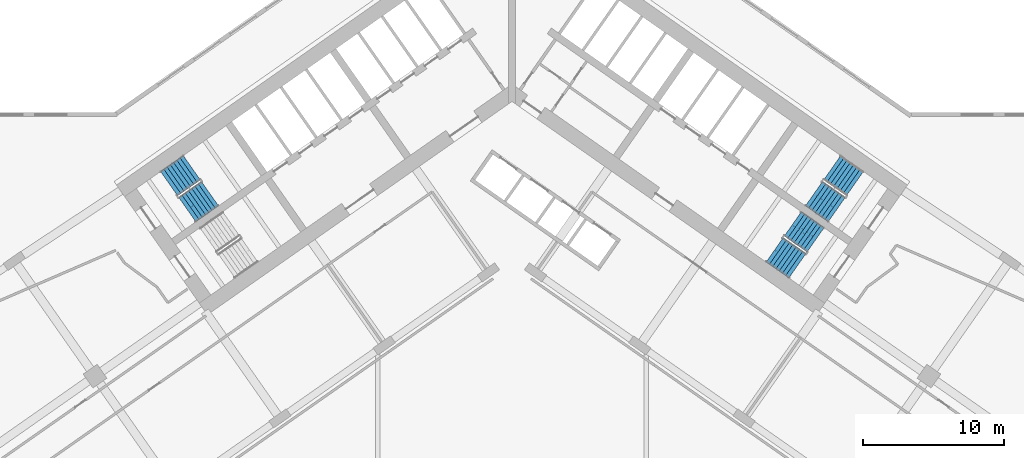
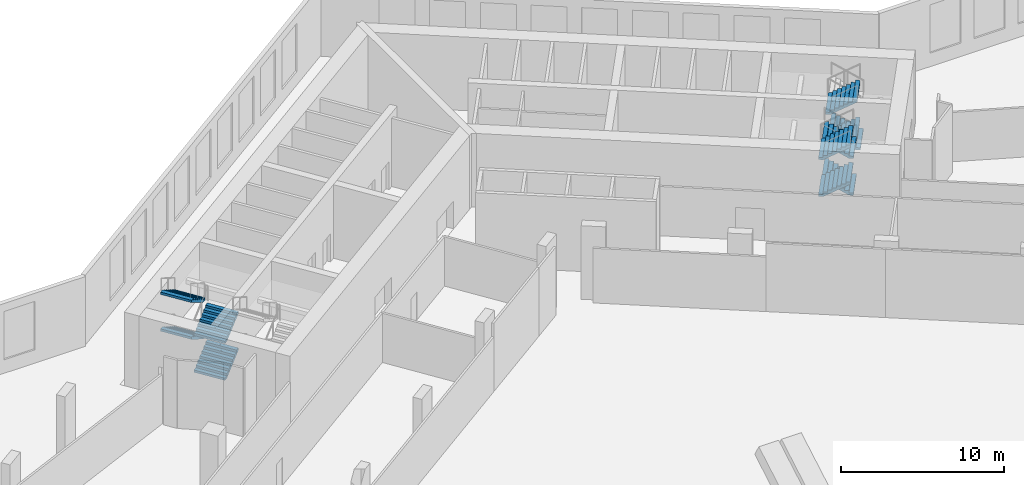
# One storey, part 16 of 26: 11 stair flights, 3 elements without a shape of their own.
"""IFC4 building model written with IfcOpenShell, lengths in metres."""

from ifc_helpers import new_model, si_unit, direction, frame, origin, place, context, subcontext, project, spatial, polyline, outline, extrude, material, type_object, element, aggregate, save


model = new_model("IFC4")

# Units and contexts
model_context = context("Model", 3, precision=1e-05, world=origin(), true_north=direction((0.0, 1.0)))
body_context = subcontext(model_context, "Body", "Model", "MODEL_VIEW")
ifc_project = project(units=[si_unit("LENGTHUNIT", "METRE"), si_unit("AREAUNIT", "SQUARE_METRE"), si_unit("VOLUMEUNIT", "CUBIC_METRE"), si_unit("PLANEANGLEUNIT", "RADIAN"), si_unit("MASSUNIT", "GRAM", prefix="KILO")], contexts=[model_context])

# Site, building, storey
site_placement = place(None, origin())
site = spatial("IfcSite", under=ifc_project, at=site_placement, CompositionType="ELEMENT")
building_placement = place(site_placement, origin())
building = spatial("IfcBuilding", under=site, at=building_placement, Name="Tel Ilan Convention Tower", CompositionType="ELEMENT")
storey_placement = place(building_placement, frame((0.0, 0.0, 32.0)))
storey = spatial("IfcBuildingStorey", under=building, at=storey_placement, Name="L04", CompositionType="ELEMENT", Elevation=32.0)

# Stair, stair flights
ifc_material_1 = material(Name="Concrete C40/50", Category="concrete")
stair_type = type_object("IfcStairType", Name="Pressurised Exit Stair 32 risers 172 mm", PredefinedType="HALF_TURN_STAIR", material=ifc_material_1)
stair_1_placement = place(storey_placement, origin())
stair_1 = element("IfcStair", 1, at=stair_1_placement, inside=storey, type_object=stair_type, Name="L04 Pressurised Stair S1", PredefinedType="HALF_TURN_STAIR")
ifc_material_2 = material(Name="Precast Concrete C40/50", Category="concrete")
stair_flight_type = type_object("IfcStairFlightType", Name="Concrete Stair Flight 2100 mm 32 risers 172 mm", PredefinedType="STRAIGHT", material=ifc_material_2)
stair_flight_1_placement = place(storey_placement, frame((-22.9619140625, -8.87548828125, 0.0), z_axis=(0.0, 0.0, 1.0), x_axis=(0.819152044289, 0.573576436351, 0.0)))
stair_flight_1 = element("IfcStairFlight", 2, at=stair_flight_1_placement, type_object=stair_flight_type, Name="S1 flight 1", NumberOfRisers=8, NumberOfTreads=7, PredefinedType="STRAIGHT", RiserHeight=0.171875, TreadLength=0.28, context=body_context, shape_type="SweptSolid", body=[
    extrude(outline(polyline([(0.0, 0.0), (0.0, 0.171875), (0.280029296875, 0.171875), (0.280029296875, 0.34375), (0.56005859375, 0.34375), (0.56005859375, 0.515625), (0.840087890625, 0.515625), (0.840087890625, 0.6875), (1.1201171875, 0.6875), (1.1201171875, 0.859375), (1.39990234375, 0.859375), (1.39990234375, 1.03125), (1.679931640625, 1.03125), (1.679931640625, 1.203125), (1.9599609375, 1.203125), (1.9599609375, 1.375), (1.9599609375, 1.02734375), (0.28662109375, 0.0), (0.0, 0.0)])), frame((0.0, -0.100341796875, 0.0), z_axis=(0.0, -1.0, 0.0), x_axis=(1.0, 0.0, 0.0)), (0.0, 0.0, 1.0), 0.94970703125),
    extrude(outline(polyline([(0.0, 0.0), (0.0, 0.171875), (0.280029296875, 0.171875), (0.280029296875, 0.34375), (0.56005859375, 0.34375), (0.56005859375, 0.515625), (0.840087890625, 0.515625), (0.840087890625, 0.6875), (1.1201171875, 0.6875), (1.1201171875, 0.859375), (1.39990234375, 0.859375), (1.39990234375, 1.03125), (1.679931640625, 1.03125), (1.679931640625, 1.203125), (1.9599609375, 1.203125), (1.9599609375, 1.375), (1.9599609375, 1.02734375), (0.28662109375, 0.0), (0.0, 0.0)])), frame((0.0, -0.000244140625, 0.0), z_axis=(0.0, -1.0, 0.0), x_axis=(1.0, 0.0, 0.0)), (0.0, 0.0, 1.0), 0.099609375),
    extrude(outline(polyline([(0.0, 0.0), (0.0, 0.171875), (0.280029296875, 0.171875), (0.280029296875, 0.34375), (0.56005859375, 0.34375), (0.56005859375, 0.515625), (0.840087890625, 0.515625), (0.840087890625, 0.6875), (1.1201171875, 0.6875), (1.1201171875, 0.859375), (1.39990234375, 0.859375), (1.39990234375, 1.03125), (1.679931640625, 1.03125), (1.679931640625, 1.203125), (1.9599609375, 1.203125), (1.9599609375, 1.375), (1.9599609375, 1.02734375), (0.28662109375, 0.0), (0.0, 0.0)])), frame((0.0, 0.099853515625, 0.0), z_axis=(0.0, -1.0, 0.0), x_axis=(1.0, 0.0, 0.0)), (0.0, 0.0, 1.0), 0.099609375),
    extrude(outline(polyline([(0.0, 0.0), (0.0, 0.171875), (0.280029296875, 0.171875), (0.280029296875, 0.34375), (0.56005859375, 0.34375), (0.56005859375, 0.515625), (0.840087890625, 0.515625), (0.840087890625, 0.6875), (1.1201171875, 0.6875), (1.1201171875, 0.859375), (1.39990234375, 0.859375), (1.39990234375, 1.03125), (1.679931640625, 1.03125), (1.679931640625, 1.203125), (1.9599609375, 1.203125), (1.9599609375, 1.375), (1.9599609375, 1.02734375), (0.28662109375, 0.0), (0.0, 0.0)])), frame((0.0, 1.050048828125, 0.0), z_axis=(0.0, -1.0, 0.0), x_axis=(1.0, 0.0, 0.0)), (0.0, 0.0, 1.0), 0.94970703125),
])
stair_flight_2_placement = place(storey_placement, frame((-22.646728515625, -5.908203125, 1.375), z_axis=(0.0, 0.0, 1.0), x_axis=(-0.819152044289, -0.573576436351, 0.0)))
stair_flight_2 = element("IfcStairFlight", 3, at=stair_flight_2_placement, type_object=stair_flight_type, Name="S1 flight 2", NumberOfRisers=8, NumberOfTreads=7, PredefinedType="STRAIGHT", RiserHeight=0.171875, TreadLength=0.28, context=body_context, shape_type="SweptSolid", body=[
    extrude(outline(polyline([(0.0, 0.0), (0.0, 0.171875), (0.280029296875, 0.171875), (0.280029296875, 0.34375), (0.56005859375, 0.34375), (0.56005859375, 0.515625), (0.840087890625, 0.515625), (0.840087890625, 0.6875), (1.1201171875, 0.6875), (1.1201171875, 0.859375), (1.39990234375, 0.859375), (1.39990234375, 1.03125), (1.679931640625, 1.03125), (1.679931640625, 1.203125), (1.9599609375, 1.203125), (1.9599609375, 1.375), (1.9599609375, 1.02734375), (0.28662109375, 0.0), (0.0, 0.0)])), frame((0.0, -0.100341796875, 0.0), z_axis=(0.0, -1.0, 0.0), x_axis=(1.0, 0.0, 0.0)), (0.0, 0.0, 1.0), 0.94970703125),
    extrude(outline(polyline([(0.0, 0.0), (0.0, 0.171875), (0.280029296875, 0.171875), (0.280029296875, 0.34375), (0.56005859375, 0.34375), (0.56005859375, 0.515625), (0.840087890625, 0.515625), (0.840087890625, 0.6875), (1.1201171875, 0.6875), (1.1201171875, 0.859375), (1.39990234375, 0.859375), (1.39990234375, 1.03125), (1.679931640625, 1.03125), (1.679931640625, 1.203125), (1.9599609375, 1.203125), (1.9599609375, 1.375), (1.9599609375, 1.02734375), (0.28662109375, 0.0), (0.0, 0.0)])), frame((0.0, -0.000244140625, 0.0), z_axis=(0.0, -1.0, 0.0), x_axis=(1.0, 0.0, 0.0)), (0.0, 0.0, 1.0), 0.099609375),
    extrude(outline(polyline([(0.0, 0.0), (0.0, 0.171875), (0.280029296875, 0.171875), (0.280029296875, 0.34375), (0.56005859375, 0.34375), (0.56005859375, 0.515625), (0.840087890625, 0.515625), (0.840087890625, 0.6875), (1.1201171875, 0.6875), (1.1201171875, 0.859375), (1.39990234375, 0.859375), (1.39990234375, 1.03125), (1.679931640625, 1.03125), (1.679931640625, 1.203125), (1.9599609375, 1.203125), (1.9599609375, 1.375), (1.9599609375, 1.02734375), (0.28662109375, 0.0), (0.0, 0.0)])), frame((0.0, 0.099853515625, 0.0), z_axis=(0.0, -1.0, 0.0), x_axis=(1.0, 0.0, 0.0)), (0.0, 0.0, 1.0), 0.099609375),
    extrude(outline(polyline([(0.0, 0.0), (0.0, 0.171875), (0.280029296875, 0.171875), (0.280029296875, 0.34375), (0.56005859375, 0.34375), (0.56005859375, 0.515625), (0.840087890625, 0.515625), (0.840087890625, 0.6875), (1.1201171875, 0.6875), (1.1201171875, 0.859375), (1.39990234375, 0.859375), (1.39990234375, 1.03125), (1.679931640625, 1.03125), (1.679931640625, 1.203125), (1.9599609375, 1.203125), (1.9599609375, 1.375), (1.9599609375, 1.02734375), (0.28662109375, 0.0), (0.0, 0.0)])), frame((0.0, 1.050048828125, 0.0), z_axis=(0.0, -1.0, 0.0), x_axis=(1.0, 0.0, 0.0)), (0.0, 0.0, 1.0), 0.94970703125),
])
stair_flight_3_placement = place(storey_placement, frame((-22.9619140625, -8.87548828125, 2.75), z_axis=(0.0, 0.0, 1.0), x_axis=(0.819152044289, 0.573576436351, 0.0)))
stair_flight_3 = element("IfcStairFlight", 4, at=stair_flight_3_placement, type_object=stair_flight_type, Name="S1 flight 3", NumberOfRisers=8, NumberOfTreads=7, PredefinedType="STRAIGHT", RiserHeight=0.171875, TreadLength=0.28, context=body_context, shape_type="SweptSolid", body=[
    extrude(outline(polyline([(0.0, 0.0), (0.0, 0.171875), (0.280029296875, 0.171875), (0.280029296875, 0.34375), (0.56005859375, 0.34375), (0.56005859375, 0.515625), (0.840087890625, 0.515625), (0.840087890625, 0.6875), (1.1201171875, 0.6875), (1.1201171875, 0.859375), (1.39990234375, 0.859375), (1.39990234375, 1.03125), (1.679931640625, 1.03125), (1.679931640625, 1.203125), (1.9599609375, 1.203125), (1.9599609375, 1.375), (1.9599609375, 1.02734375), (0.28662109375, 0.0), (0.0, 0.0)])), frame((0.0, -0.100341796875, 0.0), z_axis=(0.0, -1.0, 0.0), x_axis=(1.0, 0.0, 0.0)), (0.0, 0.0, 1.0), 0.94970703125),
    extrude(outline(polyline([(0.0, 0.0), (0.0, 0.171875), (0.280029296875, 0.171875), (0.280029296875, 0.34375), (0.56005859375, 0.34375), (0.56005859375, 0.515625), (0.840087890625, 0.515625), (0.840087890625, 0.6875), (1.1201171875, 0.6875), (1.1201171875, 0.859375), (1.39990234375, 0.859375), (1.39990234375, 1.03125), (1.679931640625, 1.03125), (1.679931640625, 1.203125), (1.9599609375, 1.203125), (1.9599609375, 1.375), (1.9599609375, 1.02734375), (0.28662109375, 0.0), (0.0, 0.0)])), frame((0.0, -0.000244140625, 0.0), z_axis=(0.0, -1.0, 0.0), x_axis=(1.0, 0.0, 0.0)), (0.0, 0.0, 1.0), 0.099609375),
    extrude(outline(polyline([(0.0, 0.0), (0.0, 0.171875), (0.280029296875, 0.171875), (0.280029296875, 0.34375), (0.56005859375, 0.34375), (0.56005859375, 0.515625), (0.840087890625, 0.515625), (0.840087890625, 0.6875), (1.1201171875, 0.6875), (1.1201171875, 0.859375), (1.39990234375, 0.859375), (1.39990234375, 1.03125), (1.679931640625, 1.03125), (1.679931640625, 1.203125), (1.9599609375, 1.203125), (1.9599609375, 1.375), (1.9599609375, 1.02734375), (0.28662109375, 0.0), (0.0, 0.0)])), frame((0.0, 0.099853515625, 0.0), z_axis=(0.0, -1.0, 0.0), x_axis=(1.0, 0.0, 0.0)), (0.0, 0.0, 1.0), 0.099609375),
    extrude(outline(polyline([(0.0, 0.0), (0.0, 0.171875), (0.280029296875, 0.171875), (0.280029296875, 0.34375), (0.56005859375, 0.34375), (0.56005859375, 0.515625), (0.840087890625, 0.515625), (0.840087890625, 0.6875), (1.1201171875, 0.6875), (1.1201171875, 0.859375), (1.39990234375, 0.859375), (1.39990234375, 1.03125), (1.679931640625, 1.03125), (1.679931640625, 1.203125), (1.9599609375, 1.203125), (1.9599609375, 1.375), (1.9599609375, 1.02734375), (0.28662109375, 0.0), (0.0, 0.0)])), frame((0.0, 1.050048828125, 0.0), z_axis=(0.0, -1.0, 0.0), x_axis=(1.0, 0.0, 0.0)), (0.0, 0.0, 1.0), 0.94970703125),
])
stair_flight_4_placement = place(storey_placement, frame((-22.646728515625, -5.908203125, 4.125), z_axis=(0.0, 0.0, 1.0), x_axis=(-0.819152044289, -0.573576436351, 0.0)))
stair_flight_4 = element("IfcStairFlight", 5, at=stair_flight_4_placement, type_object=stair_flight_type, Name="S1 flight 4", NumberOfRisers=8, NumberOfTreads=7, PredefinedType="STRAIGHT", RiserHeight=0.171875, TreadLength=0.28, context=body_context, shape_type="SweptSolid", body=[
    extrude(outline(polyline([(0.0, 0.0), (0.0, 0.171875), (0.280029296875, 0.171875), (0.280029296875, 0.34375), (0.56005859375, 0.34375), (0.56005859375, 0.515625), (0.840087890625, 0.515625), (0.840087890625, 0.6875), (1.1201171875, 0.6875), (1.1201171875, 0.859375), (1.39990234375, 0.859375), (1.39990234375, 1.03125), (1.679931640625, 1.03125), (1.679931640625, 1.203125), (1.9599609375, 1.203125), (1.9599609375, 1.375), (1.9599609375, 1.02734375), (0.28662109375, 0.0), (0.0, 0.0)])), frame((0.0, -0.100341796875, 0.0), z_axis=(0.0, -1.0, 0.0), x_axis=(1.0, 0.0, 0.0)), (0.0, 0.0, 1.0), 0.94970703125),
    extrude(outline(polyline([(0.0, 0.0), (0.0, 0.171875), (0.280029296875, 0.171875), (0.280029296875, 0.34375), (0.56005859375, 0.34375), (0.56005859375, 0.515625), (0.840087890625, 0.515625), (0.840087890625, 0.6875), (1.1201171875, 0.6875), (1.1201171875, 0.859375), (1.39990234375, 0.859375), (1.39990234375, 1.03125), (1.679931640625, 1.03125), (1.679931640625, 1.203125), (1.9599609375, 1.203125), (1.9599609375, 1.375), (1.9599609375, 1.02734375), (0.28662109375, 0.0), (0.0, 0.0)])), frame((0.0, -0.000244140625, 0.0), z_axis=(0.0, -1.0, 0.0), x_axis=(1.0, 0.0, 0.0)), (0.0, 0.0, 1.0), 0.099609375),
    extrude(outline(polyline([(0.0, 0.0), (0.0, 0.171875), (0.280029296875, 0.171875), (0.280029296875, 0.34375), (0.56005859375, 0.34375), (0.56005859375, 0.515625), (0.840087890625, 0.515625), (0.840087890625, 0.6875), (1.1201171875, 0.6875), (1.1201171875, 0.859375), (1.39990234375, 0.859375), (1.39990234375, 1.03125), (1.679931640625, 1.03125), (1.679931640625, 1.203125), (1.9599609375, 1.203125), (1.9599609375, 1.375), (1.9599609375, 1.02734375), (0.28662109375, 0.0), (0.0, 0.0)])), frame((0.0, 0.099853515625, 0.0), z_axis=(0.0, -1.0, 0.0), x_axis=(1.0, 0.0, 0.0)), (0.0, 0.0, 1.0), 0.099609375),
    extrude(outline(polyline([(0.0, 0.0), (0.0, 0.171875), (0.280029296875, 0.171875), (0.280029296875, 0.34375), (0.56005859375, 0.34375), (0.56005859375, 0.515625), (0.840087890625, 0.515625), (0.840087890625, 0.6875), (1.1201171875, 0.6875), (1.1201171875, 0.859375), (1.39990234375, 0.859375), (1.39990234375, 1.03125), (1.679931640625, 1.03125), (1.679931640625, 1.203125), (1.9599609375, 1.203125), (1.9599609375, 1.375), (1.9599609375, 1.02734375), (0.28662109375, 0.0), (0.0, 0.0)])), frame((0.0, 1.050048828125, 0.0), z_axis=(0.0, -1.0, 0.0), x_axis=(1.0, 0.0, 0.0)), (0.0, 0.0, 1.0), 0.94970703125),
])
aggregate(stair_1, [stair_flight_1, stair_flight_2, stair_flight_3, stair_flight_4])

stair_2_placement = place(storey_placement, origin())
stair_2 = element("IfcStair", 6, at=stair_2_placement, inside=storey, type_object=stair_type, Name="L04 Pressurised Stair S3", PredefinedType="HALF_TURN_STAIR")
stair_flight_5_placement = place(storey_placement, frame((24.25244140625, -7.032470703125, 0.0), z_axis=(0.0, 0.0, 1.0), x_axis=(-0.819152044289, 0.573576436351, 0.0)))
stair_flight_5 = element("IfcStairFlight", 7, at=stair_flight_5_placement, type_object=stair_flight_type, Name="S3 flight 1", NumberOfRisers=8, NumberOfTreads=7, PredefinedType="STRAIGHT", RiserHeight=0.171875, TreadLength=0.28, context=body_context, shape_type="SweptSolid", body=[
    extrude(outline(polyline([(0.0, 0.0), (0.0, 0.171875), (0.280029296875, 0.171875), (0.280029296875, 0.34375), (0.56005859375, 0.34375), (0.56005859375, 0.515625), (0.840087890625, 0.515625), (0.840087890625, 0.6875), (1.1201171875, 0.6875), (1.1201171875, 0.859375), (1.39990234375, 0.859375), (1.39990234375, 1.03125), (1.679931640625, 1.03125), (1.679931640625, 1.203125), (1.9599609375, 1.203125), (1.9599609375, 1.375), (1.9599609375, 1.02734375), (0.28662109375, 0.0), (0.0, 0.0)])), frame((0.0, -0.100341796875, 0.0), z_axis=(0.0, -1.0, 0.0), x_axis=(1.0, 0.0, 0.0)), (0.0, 0.0, 1.0), 0.94970703125),
    extrude(outline(polyline([(0.0, 0.0), (0.0, 0.171875), (0.280029296875, 0.171875), (0.280029296875, 0.34375), (0.56005859375, 0.34375), (0.56005859375, 0.515625), (0.840087890625, 0.515625), (0.840087890625, 0.6875), (1.1201171875, 0.6875), (1.1201171875, 0.859375), (1.39990234375, 0.859375), (1.39990234375, 1.03125), (1.679931640625, 1.03125), (1.679931640625, 1.203125), (1.9599609375, 1.203125), (1.9599609375, 1.375), (1.9599609375, 1.02734375), (0.28662109375, 0.0), (0.0, 0.0)])), frame((0.0, -0.000244140625, 0.0), z_axis=(0.0, -1.0, 0.0), x_axis=(1.0, 0.0, 0.0)), (0.0, 0.0, 1.0), 0.099609375),
    extrude(outline(polyline([(0.0, 0.0), (0.0, 0.171875), (0.280029296875, 0.171875), (0.280029296875, 0.34375), (0.56005859375, 0.34375), (0.56005859375, 0.515625), (0.840087890625, 0.515625), (0.840087890625, 0.6875), (1.1201171875, 0.6875), (1.1201171875, 0.859375), (1.39990234375, 0.859375), (1.39990234375, 1.03125), (1.679931640625, 1.03125), (1.679931640625, 1.203125), (1.9599609375, 1.203125), (1.9599609375, 1.375), (1.9599609375, 1.02734375), (0.28662109375, 0.0), (0.0, 0.0)])), frame((0.0, 0.099853515625, 0.0), z_axis=(0.0, -1.0, 0.0), x_axis=(1.0, 0.0, 0.0)), (0.0, 0.0, 1.0), 0.099609375),
    extrude(outline(polyline([(0.0, 0.0), (0.0, 0.171875), (0.280029296875, 0.171875), (0.280029296875, 0.34375), (0.56005859375, 0.34375), (0.56005859375, 0.515625), (0.840087890625, 0.515625), (0.840087890625, 0.6875), (1.1201171875, 0.6875), (1.1201171875, 0.859375), (1.39990234375, 0.859375), (1.39990234375, 1.03125), (1.679931640625, 1.03125), (1.679931640625, 1.203125), (1.9599609375, 1.203125), (1.9599609375, 1.375), (1.9599609375, 1.02734375), (0.28662109375, 0.0), (0.0, 0.0)])), frame((0.0, 1.050048828125, 0.0), z_axis=(0.0, -1.0, 0.0), x_axis=(1.0, 0.0, 0.0)), (0.0, 0.0, 1.0), 0.94970703125),
])
stair_flight_6_placement = place(storey_placement, frame((21.356201171875, -7.751220703125, 1.375), z_axis=(0.0, 0.0, 1.0), x_axis=(0.819152044289, -0.573576436351, 0.0)))
stair_flight_6 = element("IfcStairFlight", 8, at=stair_flight_6_placement, type_object=stair_flight_type, Name="S3 flight 2", NumberOfRisers=8, NumberOfTreads=7, PredefinedType="STRAIGHT", RiserHeight=0.171875, TreadLength=0.28, context=body_context, shape_type="SweptSolid", body=[
    extrude(outline(polyline([(0.0, 0.0), (0.0, 0.171875), (0.280029296875, 0.171875), (0.280029296875, 0.34375), (0.56005859375, 0.34375), (0.56005859375, 0.515625), (0.840087890625, 0.515625), (0.840087890625, 0.6875), (1.1201171875, 0.6875), (1.1201171875, 0.859375), (1.39990234375, 0.859375), (1.39990234375, 1.03125), (1.679931640625, 1.03125), (1.679931640625, 1.203125), (1.9599609375, 1.203125), (1.9599609375, 1.375), (1.9599609375, 1.02734375), (0.28662109375, 0.0), (0.0, 0.0)])), frame((0.0, -0.100341796875, 0.0), z_axis=(0.0, -1.0, 0.0), x_axis=(1.0, 0.0, 0.0)), (0.0, 0.0, 1.0), 0.94970703125),
    extrude(outline(polyline([(0.0, 0.0), (0.0, 0.171875), (0.280029296875, 0.171875), (0.280029296875, 0.34375), (0.56005859375, 0.34375), (0.56005859375, 0.515625), (0.840087890625, 0.515625), (0.840087890625, 0.6875), (1.1201171875, 0.6875), (1.1201171875, 0.859375), (1.39990234375, 0.859375), (1.39990234375, 1.03125), (1.679931640625, 1.03125), (1.679931640625, 1.203125), (1.9599609375, 1.203125), (1.9599609375, 1.375), (1.9599609375, 1.02734375), (0.28662109375, 0.0), (0.0, 0.0)])), frame((0.0, -0.000244140625, 0.0), z_axis=(0.0, -1.0, 0.0), x_axis=(1.0, 0.0, 0.0)), (0.0, 0.0, 1.0), 0.099609375),
    extrude(outline(polyline([(0.0, 0.0), (0.0, 0.171875), (0.280029296875, 0.171875), (0.280029296875, 0.34375), (0.56005859375, 0.34375), (0.56005859375, 0.515625), (0.840087890625, 0.515625), (0.840087890625, 0.6875), (1.1201171875, 0.6875), (1.1201171875, 0.859375), (1.39990234375, 0.859375), (1.39990234375, 1.03125), (1.679931640625, 1.03125), (1.679931640625, 1.203125), (1.9599609375, 1.203125), (1.9599609375, 1.375), (1.9599609375, 1.02734375), (0.28662109375, 0.0), (0.0, 0.0)])), frame((0.0, 0.099853515625, 0.0), z_axis=(0.0, -1.0, 0.0), x_axis=(1.0, 0.0, 0.0)), (0.0, 0.0, 1.0), 0.099609375),
    extrude(outline(polyline([(0.0, 0.0), (0.0, 0.171875), (0.280029296875, 0.171875), (0.280029296875, 0.34375), (0.56005859375, 0.34375), (0.56005859375, 0.515625), (0.840087890625, 0.515625), (0.840087890625, 0.6875), (1.1201171875, 0.6875), (1.1201171875, 0.859375), (1.39990234375, 0.859375), (1.39990234375, 1.03125), (1.679931640625, 1.03125), (1.679931640625, 1.203125), (1.9599609375, 1.203125), (1.9599609375, 1.375), (1.9599609375, 1.02734375), (0.28662109375, 0.0), (0.0, 0.0)])), frame((0.0, 1.050048828125, 0.0), z_axis=(0.0, -1.0, 0.0), x_axis=(1.0, 0.0, 0.0)), (0.0, 0.0, 1.0), 0.94970703125),
])
stair_flight_7_placement = place(storey_placement, frame((21.356201171875, -7.751220703125, 4.125), z_axis=(0.0, 0.0, 1.0), x_axis=(0.819152044289, -0.573576436351, 0.0)))
stair_flight_7 = element("IfcStairFlight", 9, at=stair_flight_7_placement, type_object=stair_flight_type, Name="S3 flight 4", NumberOfRisers=8, NumberOfTreads=7, PredefinedType="STRAIGHT", RiserHeight=0.171875, TreadLength=0.28, context=body_context, shape_type="SweptSolid", body=[
    extrude(outline(polyline([(0.0, 0.0), (0.0, 0.171875), (0.280029296875, 0.171875), (0.280029296875, 0.34375), (0.56005859375, 0.34375), (0.56005859375, 0.515625), (0.840087890625, 0.515625), (0.840087890625, 0.6875), (1.1201171875, 0.6875), (1.1201171875, 0.859375), (1.39990234375, 0.859375), (1.39990234375, 1.03125), (1.679931640625, 1.03125), (1.679931640625, 1.203125), (1.9599609375, 1.203125), (1.9599609375, 1.375), (1.9599609375, 1.02734375), (0.28662109375, 0.0), (0.0, 0.0)])), frame((0.0, -0.100341796875, 0.0), z_axis=(0.0, -1.0, 0.0), x_axis=(1.0, 0.0, 0.0)), (0.0, 0.0, 1.0), 0.94970703125),
    extrude(outline(polyline([(0.0, 0.0), (0.0, 0.171875), (0.280029296875, 0.171875), (0.280029296875, 0.34375), (0.56005859375, 0.34375), (0.56005859375, 0.515625), (0.840087890625, 0.515625), (0.840087890625, 0.6875), (1.1201171875, 0.6875), (1.1201171875, 0.859375), (1.39990234375, 0.859375), (1.39990234375, 1.03125), (1.679931640625, 1.03125), (1.679931640625, 1.203125), (1.9599609375, 1.203125), (1.9599609375, 1.375), (1.9599609375, 1.02734375), (0.28662109375, 0.0), (0.0, 0.0)])), frame((0.0, -0.000244140625, 0.0), z_axis=(0.0, -1.0, 0.0), x_axis=(1.0, 0.0, 0.0)), (0.0, 0.0, 1.0), 0.099609375),
    extrude(outline(polyline([(0.0, 0.0), (0.0, 0.171875), (0.280029296875, 0.171875), (0.280029296875, 0.34375), (0.56005859375, 0.34375), (0.56005859375, 0.515625), (0.840087890625, 0.515625), (0.840087890625, 0.6875), (1.1201171875, 0.6875), (1.1201171875, 0.859375), (1.39990234375, 0.859375), (1.39990234375, 1.03125), (1.679931640625, 1.03125), (1.679931640625, 1.203125), (1.9599609375, 1.203125), (1.9599609375, 1.375), (1.9599609375, 1.02734375), (0.28662109375, 0.0), (0.0, 0.0)])), frame((0.0, 0.099853515625, 0.0), z_axis=(0.0, -1.0, 0.0), x_axis=(1.0, 0.0, 0.0)), (0.0, 0.0, 1.0), 0.099609375),
    extrude(outline(polyline([(0.0, 0.0), (0.0, 0.171875), (0.280029296875, 0.171875), (0.280029296875, 0.34375), (0.56005859375, 0.34375), (0.56005859375, 0.515625), (0.840087890625, 0.515625), (0.840087890625, 0.6875), (1.1201171875, 0.6875), (1.1201171875, 0.859375), (1.39990234375, 0.859375), (1.39990234375, 1.03125), (1.679931640625, 1.03125), (1.679931640625, 1.203125), (1.9599609375, 1.203125), (1.9599609375, 1.375), (1.9599609375, 1.02734375), (0.28662109375, 0.0), (0.0, 0.0)])), frame((0.0, 1.050048828125, 0.0), z_axis=(0.0, -1.0, 0.0), x_axis=(1.0, 0.0, 0.0)), (0.0, 0.0, 1.0), 0.94970703125),
])
aggregate(stair_2, [stair_flight_5, stair_flight_6, stair_flight_7])

stair_3_placement = place(storey_placement, origin())
stair_3 = element("IfcStair", 10, at=stair_3_placement, inside=storey, type_object=stair_type, Name="L04 Pressurised Stair S4", PredefinedType="HALF_TURN_STAIR")
stair_flight_8_placement = place(storey_placement, frame((21.470458984375, -11.00537109375, 0.0), z_axis=(0.0, 0.0, 1.0), x_axis=(-0.819152044289, 0.573576436351, 0.0)))
stair_flight_8 = element("IfcStairFlight", 11, at=stair_flight_8_placement, type_object=stair_flight_type, Name="S4 flight 1", NumberOfRisers=8, NumberOfTreads=7, PredefinedType="STRAIGHT", RiserHeight=0.171875, TreadLength=0.28, context=body_context, shape_type="SweptSolid", body=[
    extrude(outline(polyline([(0.0, 0.0), (0.0, 0.171875), (0.280029296875, 0.171875), (0.280029296875, 0.34375), (0.56005859375, 0.34375), (0.56005859375, 0.515625), (0.840087890625, 0.515625), (0.840087890625, 0.6875), (1.1201171875, 0.6875), (1.1201171875, 0.859375), (1.39990234375, 0.859375), (1.39990234375, 1.03125), (1.679931640625, 1.03125), (1.679931640625, 1.203125), (1.9599609375, 1.203125), (1.9599609375, 1.375), (1.9599609375, 1.02734375), (0.28662109375, 0.0), (0.0, 0.0)])), frame((0.0, -0.100341796875, 0.0), z_axis=(0.0, -1.0, 0.0), x_axis=(1.0, 0.0, 0.0)), (0.0, 0.0, 1.0), 0.94970703125),
    extrude(outline(polyline([(0.0, 0.0), (0.0, 0.171875), (0.280029296875, 0.171875), (0.280029296875, 0.34375), (0.56005859375, 0.34375), (0.56005859375, 0.515625), (0.840087890625, 0.515625), (0.840087890625, 0.6875), (1.1201171875, 0.6875), (1.1201171875, 0.859375), (1.39990234375, 0.859375), (1.39990234375, 1.03125), (1.679931640625, 1.03125), (1.679931640625, 1.203125), (1.9599609375, 1.203125), (1.9599609375, 1.375), (1.9599609375, 1.02734375), (0.28662109375, 0.0), (0.0, 0.0)])), frame((0.0, -0.000244140625, 0.0), z_axis=(0.0, -1.0, 0.0), x_axis=(1.0, 0.0, 0.0)), (0.0, 0.0, 1.0), 0.099609375),
    extrude(outline(polyline([(0.0, 0.0), (0.0, 0.171875), (0.280029296875, 0.171875), (0.280029296875, 0.34375), (0.56005859375, 0.34375), (0.56005859375, 0.515625), (0.840087890625, 0.515625), (0.840087890625, 0.6875), (1.1201171875, 0.6875), (1.1201171875, 0.859375), (1.39990234375, 0.859375), (1.39990234375, 1.03125), (1.679931640625, 1.03125), (1.679931640625, 1.203125), (1.9599609375, 1.203125), (1.9599609375, 1.375), (1.9599609375, 1.02734375), (0.28662109375, 0.0), (0.0, 0.0)])), frame((0.0, 0.099853515625, 0.0), z_axis=(0.0, -1.0, 0.0), x_axis=(1.0, 0.0, 0.0)), (0.0, 0.0, 1.0), 0.099609375),
    extrude(outline(polyline([(0.0, 0.0), (0.0, 0.171875), (0.280029296875, 0.171875), (0.280029296875, 0.34375), (0.56005859375, 0.34375), (0.56005859375, 0.515625), (0.840087890625, 0.515625), (0.840087890625, 0.6875), (1.1201171875, 0.6875), (1.1201171875, 0.859375), (1.39990234375, 0.859375), (1.39990234375, 1.03125), (1.679931640625, 1.03125), (1.679931640625, 1.203125), (1.9599609375, 1.203125), (1.9599609375, 1.375), (1.9599609375, 1.02734375), (0.28662109375, 0.0), (0.0, 0.0)])), frame((0.0, 1.050048828125, 0.0), z_axis=(0.0, -1.0, 0.0), x_axis=(1.0, 0.0, 0.0)), (0.0, 0.0, 1.0), 0.94970703125),
])
stair_flight_9_placement = place(storey_placement, frame((18.574462890625, -11.72412109375, 1.375), z_axis=(0.0, 0.0, 1.0), x_axis=(0.819152044289, -0.573576436351, 0.0)))
stair_flight_9 = element("IfcStairFlight", 12, at=stair_flight_9_placement, type_object=stair_flight_type, Name="S4 flight 2", NumberOfRisers=8, NumberOfTreads=7, PredefinedType="STRAIGHT", RiserHeight=0.171875, TreadLength=0.28, context=body_context, shape_type="SweptSolid", body=[
    extrude(outline(polyline([(0.0, 0.0), (0.0, 0.171875), (0.280029296875, 0.171875), (0.280029296875, 0.34375), (0.56005859375, 0.34375), (0.56005859375, 0.515625), (0.840087890625, 0.515625), (0.840087890625, 0.6875), (1.1201171875, 0.6875), (1.1201171875, 0.859375), (1.39990234375, 0.859375), (1.39990234375, 1.03125), (1.679931640625, 1.03125), (1.679931640625, 1.203125), (1.9599609375, 1.203125), (1.9599609375, 1.375), (1.9599609375, 1.02734375), (0.28662109375, 0.0), (0.0, 0.0)])), frame((0.0, -0.100341796875, 0.0), z_axis=(0.0, -1.0, 0.0), x_axis=(1.0, 0.0, 0.0)), (0.0, 0.0, 1.0), 0.94970703125),
    extrude(outline(polyline([(0.0, 0.0), (0.0, 0.171875), (0.280029296875, 0.171875), (0.280029296875, 0.34375), (0.56005859375, 0.34375), (0.56005859375, 0.515625), (0.840087890625, 0.515625), (0.840087890625, 0.6875), (1.1201171875, 0.6875), (1.1201171875, 0.859375), (1.39990234375, 0.859375), (1.39990234375, 1.03125), (1.679931640625, 1.03125), (1.679931640625, 1.203125), (1.9599609375, 1.203125), (1.9599609375, 1.375), (1.9599609375, 1.02734375), (0.28662109375, 0.0), (0.0, 0.0)])), frame((0.0, -0.000244140625, 0.0), z_axis=(0.0, -1.0, 0.0), x_axis=(1.0, 0.0, 0.0)), (0.0, 0.0, 1.0), 0.099609375),
    extrude(outline(polyline([(0.0, 0.0), (0.0, 0.171875), (0.280029296875, 0.171875), (0.280029296875, 0.34375), (0.56005859375, 0.34375), (0.56005859375, 0.515625), (0.840087890625, 0.515625), (0.840087890625, 0.6875), (1.1201171875, 0.6875), (1.1201171875, 0.859375), (1.39990234375, 0.859375), (1.39990234375, 1.03125), (1.679931640625, 1.03125), (1.679931640625, 1.203125), (1.9599609375, 1.203125), (1.9599609375, 1.375), (1.9599609375, 1.02734375), (0.28662109375, 0.0), (0.0, 0.0)])), frame((0.0, 0.099853515625, 0.0), z_axis=(0.0, -1.0, 0.0), x_axis=(1.0, 0.0, 0.0)), (0.0, 0.0, 1.0), 0.099609375),
    extrude(outline(polyline([(0.0, 0.0), (0.0, 0.171875), (0.280029296875, 0.171875), (0.280029296875, 0.34375), (0.56005859375, 0.34375), (0.56005859375, 0.515625), (0.840087890625, 0.515625), (0.840087890625, 0.6875), (1.1201171875, 0.6875), (1.1201171875, 0.859375), (1.39990234375, 0.859375), (1.39990234375, 1.03125), (1.679931640625, 1.03125), (1.679931640625, 1.203125), (1.9599609375, 1.203125), (1.9599609375, 1.375), (1.9599609375, 1.02734375), (0.28662109375, 0.0), (0.0, 0.0)])), frame((0.0, 1.050048828125, 0.0), z_axis=(0.0, -1.0, 0.0), x_axis=(1.0, 0.0, 0.0)), (0.0, 0.0, 1.0), 0.94970703125),
])
stair_flight_10_placement = place(storey_placement, frame((21.470458984375, -11.00537109375, 2.75), z_axis=(0.0, 0.0, 1.0), x_axis=(-0.819152044289, 0.573576436351, 0.0)))
stair_flight_10 = element("IfcStairFlight", 13, at=stair_flight_10_placement, type_object=stair_flight_type, Name="S4 flight 3", NumberOfRisers=8, NumberOfTreads=7, PredefinedType="STRAIGHT", RiserHeight=0.171875, TreadLength=0.28, context=body_context, shape_type="SweptSolid", body=[
    extrude(outline(polyline([(0.0, 0.0), (0.0, 0.171875), (0.280029296875, 0.171875), (0.280029296875, 0.34375), (0.56005859375, 0.34375), (0.56005859375, 0.515625), (0.840087890625, 0.515625), (0.840087890625, 0.6875), (1.1201171875, 0.6875), (1.1201171875, 0.859375), (1.39990234375, 0.859375), (1.39990234375, 1.03125), (1.679931640625, 1.03125), (1.679931640625, 1.203125), (1.9599609375, 1.203125), (1.9599609375, 1.375), (1.9599609375, 1.02734375), (0.28662109375, 0.0), (0.0, 0.0)])), frame((0.0, -0.100341796875, 0.0), z_axis=(0.0, -1.0, 0.0), x_axis=(1.0, 0.0, 0.0)), (0.0, 0.0, 1.0), 0.94970703125),
    extrude(outline(polyline([(0.0, 0.0), (0.0, 0.171875), (0.280029296875, 0.171875), (0.280029296875, 0.34375), (0.56005859375, 0.34375), (0.56005859375, 0.515625), (0.840087890625, 0.515625), (0.840087890625, 0.6875), (1.1201171875, 0.6875), (1.1201171875, 0.859375), (1.39990234375, 0.859375), (1.39990234375, 1.03125), (1.679931640625, 1.03125), (1.679931640625, 1.203125), (1.9599609375, 1.203125), (1.9599609375, 1.375), (1.9599609375, 1.02734375), (0.28662109375, 0.0), (0.0, 0.0)])), frame((0.0, -0.000244140625, 0.0), z_axis=(0.0, -1.0, 0.0), x_axis=(1.0, 0.0, 0.0)), (0.0, 0.0, 1.0), 0.099609375),
    extrude(outline(polyline([(0.0, 0.0), (0.0, 0.171875), (0.280029296875, 0.171875), (0.280029296875, 0.34375), (0.56005859375, 0.34375), (0.56005859375, 0.515625), (0.840087890625, 0.515625), (0.840087890625, 0.6875), (1.1201171875, 0.6875), (1.1201171875, 0.859375), (1.39990234375, 0.859375), (1.39990234375, 1.03125), (1.679931640625, 1.03125), (1.679931640625, 1.203125), (1.9599609375, 1.203125), (1.9599609375, 1.375), (1.9599609375, 1.02734375), (0.28662109375, 0.0), (0.0, 0.0)])), frame((0.0, 0.099853515625, 0.0), z_axis=(0.0, -1.0, 0.0), x_axis=(1.0, 0.0, 0.0)), (0.0, 0.0, 1.0), 0.099609375),
    extrude(outline(polyline([(0.0, 0.0), (0.0, 0.171875), (0.280029296875, 0.171875), (0.280029296875, 0.34375), (0.56005859375, 0.34375), (0.56005859375, 0.515625), (0.840087890625, 0.515625), (0.840087890625, 0.6875), (1.1201171875, 0.6875), (1.1201171875, 0.859375), (1.39990234375, 0.859375), (1.39990234375, 1.03125), (1.679931640625, 1.03125), (1.679931640625, 1.203125), (1.9599609375, 1.203125), (1.9599609375, 1.375), (1.9599609375, 1.02734375), (0.28662109375, 0.0), (0.0, 0.0)])), frame((0.0, 1.050048828125, 0.0), z_axis=(0.0, -1.0, 0.0), x_axis=(1.0, 0.0, 0.0)), (0.0, 0.0, 1.0), 0.94970703125),
])
stair_flight_11_placement = place(storey_placement, frame((18.574462890625, -11.72412109375, 4.125), z_axis=(0.0, 0.0, 1.0), x_axis=(0.819152044289, -0.573576436351, 0.0)))
stair_flight_11 = element("IfcStairFlight", 14, at=stair_flight_11_placement, type_object=stair_flight_type, Name="S4 flight 4", NumberOfRisers=8, NumberOfTreads=7, PredefinedType="STRAIGHT", RiserHeight=0.171875, TreadLength=0.28, context=body_context, shape_type="SweptSolid", body=[
    extrude(outline(polyline([(0.0, 0.0), (0.0, 0.171875), (0.280029296875, 0.171875), (0.280029296875, 0.34375), (0.56005859375, 0.34375), (0.56005859375, 0.515625), (0.840087890625, 0.515625), (0.840087890625, 0.6875), (1.1201171875, 0.6875), (1.1201171875, 0.859375), (1.39990234375, 0.859375), (1.39990234375, 1.03125), (1.679931640625, 1.03125), (1.679931640625, 1.203125), (1.9599609375, 1.203125), (1.9599609375, 1.375), (1.9599609375, 1.02734375), (0.28662109375, 0.0), (0.0, 0.0)])), frame((0.0, -0.100341796875, 0.0), z_axis=(0.0, -1.0, 0.0), x_axis=(1.0, 0.0, 0.0)), (0.0, 0.0, 1.0), 0.94970703125),
    extrude(outline(polyline([(0.0, 0.0), (0.0, 0.171875), (0.280029296875, 0.171875), (0.280029296875, 0.34375), (0.56005859375, 0.34375), (0.56005859375, 0.515625), (0.840087890625, 0.515625), (0.840087890625, 0.6875), (1.1201171875, 0.6875), (1.1201171875, 0.859375), (1.39990234375, 0.859375), (1.39990234375, 1.03125), (1.679931640625, 1.03125), (1.679931640625, 1.203125), (1.9599609375, 1.203125), (1.9599609375, 1.375), (1.9599609375, 1.02734375), (0.28662109375, 0.0), (0.0, 0.0)])), frame((0.0, -0.000244140625, 0.0), z_axis=(0.0, -1.0, 0.0), x_axis=(1.0, 0.0, 0.0)), (0.0, 0.0, 1.0), 0.099609375),
    extrude(outline(polyline([(0.0, 0.0), (0.0, 0.171875), (0.280029296875, 0.171875), (0.280029296875, 0.34375), (0.56005859375, 0.34375), (0.56005859375, 0.515625), (0.840087890625, 0.515625), (0.840087890625, 0.6875), (1.1201171875, 0.6875), (1.1201171875, 0.859375), (1.39990234375, 0.859375), (1.39990234375, 1.03125), (1.679931640625, 1.03125), (1.679931640625, 1.203125), (1.9599609375, 1.203125), (1.9599609375, 1.375), (1.9599609375, 1.02734375), (0.28662109375, 0.0), (0.0, 0.0)])), frame((0.0, 0.099853515625, 0.0), z_axis=(0.0, -1.0, 0.0), x_axis=(1.0, 0.0, 0.0)), (0.0, 0.0, 1.0), 0.099609375),
    extrude(outline(polyline([(0.0, 0.0), (0.0, 0.171875), (0.280029296875, 0.171875), (0.280029296875, 0.34375), (0.56005859375, 0.34375), (0.56005859375, 0.515625), (0.840087890625, 0.515625), (0.840087890625, 0.6875), (1.1201171875, 0.6875), (1.1201171875, 0.859375), (1.39990234375, 0.859375), (1.39990234375, 1.03125), (1.679931640625, 1.03125), (1.679931640625, 1.203125), (1.9599609375, 1.203125), (1.9599609375, 1.375), (1.9599609375, 1.02734375), (0.28662109375, 0.0), (0.0, 0.0)])), frame((0.0, 1.050048828125, 0.0), z_axis=(0.0, -1.0, 0.0), x_axis=(1.0, 0.0, 0.0)), (0.0, 0.0, 1.0), 0.94970703125),
])
aggregate(stair_3, [stair_flight_8, stair_flight_9, stair_flight_10, stair_flight_11])

save(model, "model.ifc")
